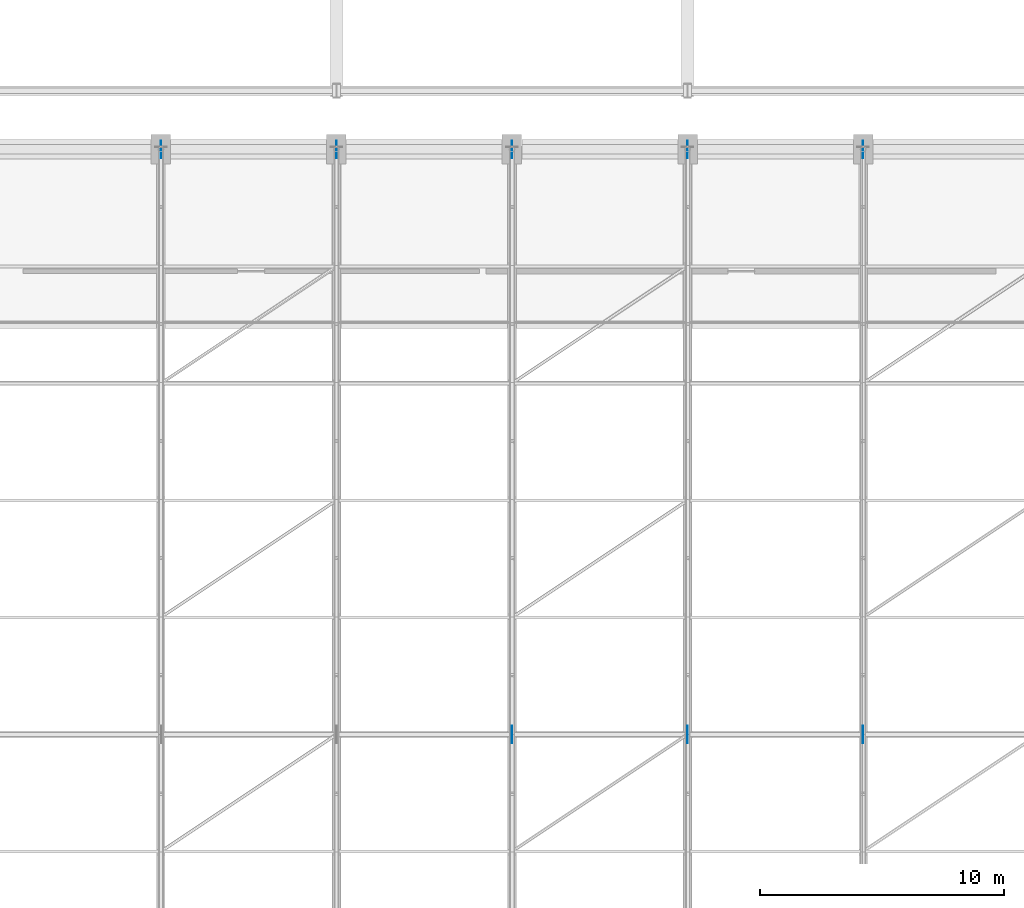
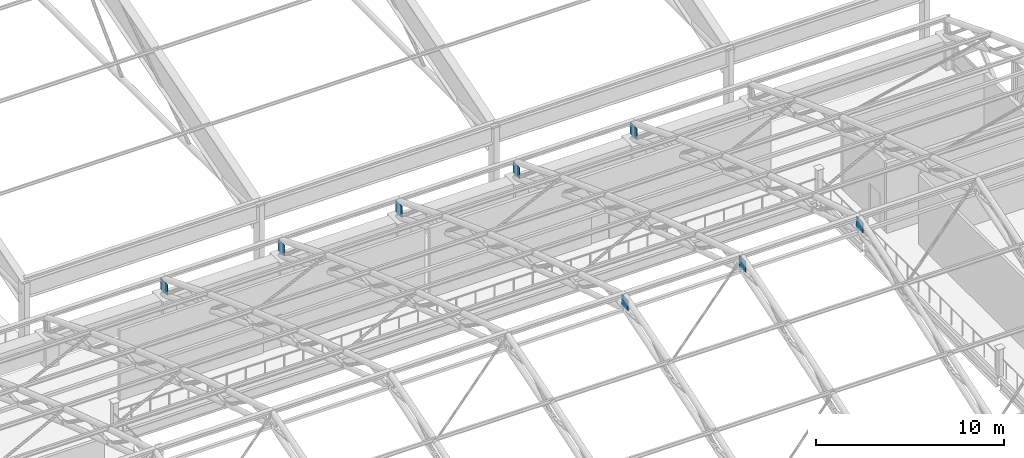
# One storey, part 68 of 116: 8 plates.
"""IFC4 building model written with IfcOpenShell, lengths in metres."""

import ifcopenshell
import ifcopenshell.guid

model = None  # the IFC model being written
_history = None  # IfcOwnerHistory: only IFC2X3 demands one
_inside = {}  # id of a spatial element -> (the spatial element, [elements in it])
_under = {}  # id of a project, library or spatial element -> (it, [spatial elements below it])
_declared = {}  # id of a project -> (the project, [libraries it declares])
_typed = {}  # id of a type object -> (the type object, [elements of that type])
_made_of = {}  # id of a material, layer set ... -> (it, [elements and type objects made of it])


def new_model(schema):
    """Start an empty IFC model of exactly this schema.

    Asked for "IFC4X3", IfcOpenShell would pick the latest addendum, in which some entities
    have other attributes; the version numbers below select the first issue.
    IFC2X3 requires an IfcOwnerHistory on every rooted entity: one is made here for all.
    """
    global model, _history
    if schema == "IFC4X3":
        model = ifcopenshell.file(schema_version=(4, 3, 0, 0))
    else:
        model = ifcopenshell.file(schema=schema)
    _inside.clear()
    _under.clear()
    _declared.clear()
    _typed.clear()
    _made_of.clear()
    _history = None
    if model.schema == "IFC2X3":
        org = make("IfcOrganization", Name="unknown")
        user = make(
            "IfcPersonAndOrganization",
            ThePerson=make("IfcPerson", FamilyName="unknown"),
            TheOrganization=org,
        )
        app = make(
            "IfcApplication",
            ApplicationDeveloper=org,
            Version="unknown",
            ApplicationFullName="unknown",
            ApplicationIdentifier="unknown",
        )
        _history = make(
            "IfcOwnerHistory",
            OwningUser=user,
            OwningApplication=app,
            ChangeAction="ADDED",
            CreationDate=0,
        )
    return model


def make(cls, **values):
    """One entity of the class cls with the attributes given. An attribute that is None is left unset."""
    return model.create_entity(
        cls, **{name: value for name, value in values.items() if value is not None}
    )


def rooted(cls, **values):
    """An entity with a GlobalId (a new one), such as an element, a storey or a relation."""
    return make(cls, GlobalId=ifcopenshell.guid.new(), OwnerHistory=_history, **values)


def si_unit(unit_type, name, prefix=None):
    """IfcSIUnit, for example si_unit("LENGTHUNIT", "METRE", prefix="MILLI")."""
    return make("IfcSIUnit", UnitType=unit_type, Prefix=prefix, Name=name)


def assignment(units):
    """IfcUnitAssignment: the units of a project."""
    return None if units is None else make("IfcUnitAssignment", Units=units)


def point(xyz):
    """IfcCartesianPoint."""
    return None if xyz is None else make("IfcCartesianPoint", Coordinates=xyz)


def direction(xyz):
    """IfcDirection."""
    return None if xyz is None else make("IfcDirection", DirectionRatios=xyz)


def frame(location, z_axis=None, x_axis=None):
    """IfcAxis2Placement3D, a coordinate frame: its origin and axes. An axis left out is left unset."""
    return make(
        "IfcAxis2Placement3D",
        Location=point(location),
        Axis=direction(z_axis),
        RefDirection=direction(x_axis),
    )


def frame_2d(location, x_axis=None):
    """IfcAxis2Placement2D, a coordinate frame in the plane: its origin and x axis."""
    return make(
        "IfcAxis2Placement2D", Location=point(location), RefDirection=direction(x_axis)
    )


def origin():
    """The frame at (0, 0, 0) with its axes left unset."""
    return frame((0.0, 0.0, 0.0))


def origin_2d():
    """The frame at (0, 0) in the plane with its x axis left unset."""
    return frame_2d((0.0, 0.0))


def place(relative_to, where):
    """IfcLocalPlacement: puts the frame where relative to a parent placement (None: the world)."""
    return make(
        "IfcLocalPlacement", PlacementRelTo=relative_to, RelativePlacement=where
    )


def context(
    kind, dimensions, precision=None, world=None, true_north=None, identifier=None
):
    """IfcGeometricRepresentationContext, for example the 3D "Model" context."""
    return make(
        "IfcGeometricRepresentationContext",
        ContextIdentifier=identifier,
        ContextType=kind,
        CoordinateSpaceDimension=dimensions,
        Precision=precision,
        WorldCoordinateSystem=world,
        TrueNorth=true_north,
    )


def subcontext(parent, identifier, kind, view, scale=None):
    """IfcGeometricRepresentationSubContext, for example "Body" below "Model"."""
    return make(
        "IfcGeometricRepresentationSubContext",
        ContextIdentifier=identifier,
        ContextType=kind,
        ParentContext=parent,
        TargetScale=scale,
        TargetView=view,
    )


def project(units=None, contexts=None):
    """IfcProject with its units and contexts."""
    return rooted(
        "IfcProject",
        Name="project",
        RepresentationContexts=contexts,
        UnitsInContext=assignment(units),
    )


def spatial(cls, under=None, at=None, **own):
    """A site, building, storey or space (cls), placed at a placement, below another one or the project."""
    s = rooted(cls, ObjectPlacement=at, **own)
    if under is not None:
        _under.setdefault(under.id(), (under, []))[1].append(s)
    return s


def profile(cls, at=None, kind="AREA", **sizes):
    """A parametric profile (cls). Its sizes go by their IFC names, for example OverallWidth=200.0."""
    return make(cls, ProfileType=kind, Position=at, **sizes)


def rectangle(**sizes):
    """IfcRectangleProfileDef."""
    return profile("IfcRectangleProfileDef", **sizes)


def extrude(swept, where, along, depth):
    """IfcExtrudedAreaSolid: the profile swept, set in the frame where, extruded along a direction by depth."""
    return make(
        "IfcExtrudedAreaSolid",
        SweptArea=swept,
        Position=where,
        ExtrudedDirection=direction(along),
        Depth=depth,
    )


def shape(context_of_items, identifier, shape_type, items):
    """IfcShapeRepresentation: the items that make up one representation, for example the "Body"."""
    return make(
        "IfcShapeRepresentation",
        ContextOfItems=context_of_items,
        RepresentationIdentifier=identifier,
        RepresentationType=shape_type,
        Items=items,
    )


def material(Name=None, Category=None):
    """IfcMaterial."""
    return make("IfcMaterial", Name=Name, Category=Category)


def layer(
    of_material, thickness, ventilated=None, Name=None, Category=None, Priority=None
):
    """IfcMaterialLayer: one layer of a wall or slab, of a material (None: an air gap)."""
    return make(
        "IfcMaterialLayer",
        Material=of_material,
        LayerThickness=thickness,
        IsVentilated=ventilated,
        Name=Name,
        Category=Category,
        Priority=Priority,
    )


def layer_set(layers, Name=None):
    """IfcMaterialLayerSet."""
    return make("IfcMaterialLayerSet", MaterialLayers=layers, LayerSetName=Name)


def made_of(thing, what):
    """Note that an element or type object is made of a material, layer set ...; save() writes the relation."""
    if what is not None:
        _made_of.setdefault(what.id(), (what, []))[1].append(thing)
    return thing


def type_object(cls, material=None, **own):
    """A type object (cls), such as IfcWallType, which elements share."""
    return made_of(rooted(cls, **own), material)


def element(
    cls,
    number,
    at=None,
    inside=None,
    cuts=None,
    type_object=None,
    material=None,
    context=None,
    identifier="Body",
    shape_type=None,
    held_by="IfcProductDefinitionShape",
    body=None,
    shapes=None,
    **own,
):
    """One element of the class cls, such as IfcWall. Its Tag is "e" and its number.

    at: its placement. inside: the storey or other place that contains it. cuts: it is an
    opening in that element (IfcRelVoidsElement). A single representation is given by context,
    identifier, shape_type and body (its items); several are given by shapes. held_by: the class
    of the entity that holds the representations. save() writes the other relations.
    """
    e = rooted(cls, Tag="e%d" % number, ObjectPlacement=at, **own)
    if body is not None:
        shapes = [shape(context, identifier, shape_type, body)]
    if shapes is not None:
        e.Representation = make(held_by, Representations=shapes)
    if inside is not None:
        _inside.setdefault(inside.id(), (inside, []))[1].append(e)
    if cuts is not None:
        rooted(
            "IfcRelVoidsElement", RelatingBuildingElement=cuts, RelatedOpeningElement=e
        )
    if type_object is not None:
        _typed.setdefault(type_object.id(), (type_object, []))[1].append(e)
    return made_of(e, material)


def aggregate(whole, parts):
    """IfcRelAggregates: a whole, such as a stair, and the parts it consists of."""
    return rooted("IfcRelAggregates", RelatingObject=whole, RelatedObjects=parts)


def save(model, path):
    """Write the relations noted so far, then the file.

    IfcRelAggregates (storeys below a building ...), IfcRelContainedInSpatialStructure (elements
    in a storey), IfcRelDefinesByType, IfcRelAssociatesMaterial and IfcRelDeclares: one each for
    every whole, place, type object, material and project.
    """
    for whole, parts in _under.values():
        aggregate(whole, parts)
    for where, things in _inside.values():
        rooted(
            "IfcRelContainedInSpatialStructure",
            RelatedElements=things,
            RelatingStructure=where,
        )
    for kind, things in _typed.values():
        rooted("IfcRelDefinesByType", RelatedObjects=things, RelatingType=kind)
    for what, things in _made_of.values():
        rooted("IfcRelAssociatesMaterial", RelatedObjects=things, RelatingMaterial=what)
    for by, libraries in _declared.values():
        rooted("IfcRelDeclares", RelatingContext=by, RelatedDefinitions=libraries)
    model.write(path)


model = new_model("IFC4")

# Units and contexts
model_context = context("Model", 3, precision=1e-05, world=origin(), true_north=direction((0.0, 1.0)))
body_context = subcontext(model_context, "Body", "Model", "MODEL_VIEW")
ifc_project = project(units=[si_unit("LENGTHUNIT", "METRE"), si_unit("AREAUNIT", "SQUARE_METRE"), si_unit("VOLUMEUNIT", "CUBIC_METRE"), si_unit("PLANEANGLEUNIT", "RADIAN"), si_unit("MASSUNIT", "GRAM", prefix="KILO")], contexts=[model_context])

# Site, building, storey
site_placement = place(None, origin())
site = spatial("IfcSite", under=ifc_project, at=site_placement, CompositionType="ELEMENT")
building_placement = place(site_placement, origin())
building = spatial("IfcBuilding", under=site, at=building_placement, Name="Cendralis Lancet Convention Centre", CompositionType="ELEMENT")
storey_placement = place(building_placement, frame((0.0, 0.0, 15.0)))
storey = spatial("IfcBuildingStorey", under=building, at=storey_placement, Name="L03", CompositionType="ELEMENT", Elevation=15.0)

# Plates
ifc_material = material(Name="Steel S355", Category="steel")
ifc_layer = layer(ifc_material, 0.028076171875, Name="Steel S355")
ifc_layer_set = layer_set([ifc_layer], Name="Steel S355")
plate_type = type_object("IfcPlateType", Name="STR-PL-GP28-INT", PredefinedType="USERDEFINED", material=ifc_layer_set)
for number, where, z_axis, x_axis, name in (
    (1, (160.800048828125, 91.199951171875, 1.96484375), (0.0, 0.0, 1.0), (0.0, 1.0, 0.0), "Truss Gusset Plate GP-28 AT-V2-04-SPR-N"),
    (2, (168.0, 91.199951171875, 1.96484375), (0.0, 0.0, 1.0), (0.0, 1.0, 0.0), "Truss Gusset Plate GP-28 AT-V2-05-SPR-N"),
    (3, (175.199951171875, 67.199951171875, 10.44921875), (0.0, 0.0, 1.0), (0.0, 1.0, 0.0), "Truss Gusset Plate GP-28 AT-V2-06-APEX"),
    (4, (175.199951171875, 91.199951171875, 1.96484375), (0.0, 0.0, 1.0), (0.0, 1.0, 0.0), "Truss Gusset Plate GP-28 AT-V2-06-SPR-N"),
    (5, (182.39990234375, 67.199951171875, 10.44921875), (0.0, 0.0, 1.0), (0.0, 1.0, 0.0), "Truss Gusset Plate GP-28 AT-V2-07-APEX"),
    (6, (182.39990234375, 91.199951171875, 1.96484375), (0.0, 0.0, 1.0), (0.0, 1.0, 0.0), "Truss Gusset Plate GP-28 AT-V2-07-SPR-N"),
    (7, (189.60009765625, 67.199951171875, 10.44921875), (0.0, 0.0, 1.0), (0.0, 1.0, 0.0), "Truss Gusset Plate GP-28 AT-V2-08-APEX"),
    (8, (189.60009765625, 91.199951171875, 1.96484375), (0.0, 0.0, 1.0), (0.0, 1.0, 0.0), "Truss Gusset Plate GP-28 AT-V2-08-SPR-N"),
):
    element("IfcPlate", number, at=place(storey_placement, frame(where, z_axis=z_axis, x_axis=x_axis)), inside=storey, type_object=plate_type, Name=name, ObjectType="GUSSET PLATE", PredefinedType="USERDEFINED", context=body_context, shape_type="SweptSolid", body=[
        extrude(rectangle(XDim=0.719970703125, YDim=0.028076171875, at=origin_2d()), origin(), (0.0, 0.0, 1.0), 0.719970703125),
    ])

save(model, "model.ifc")
